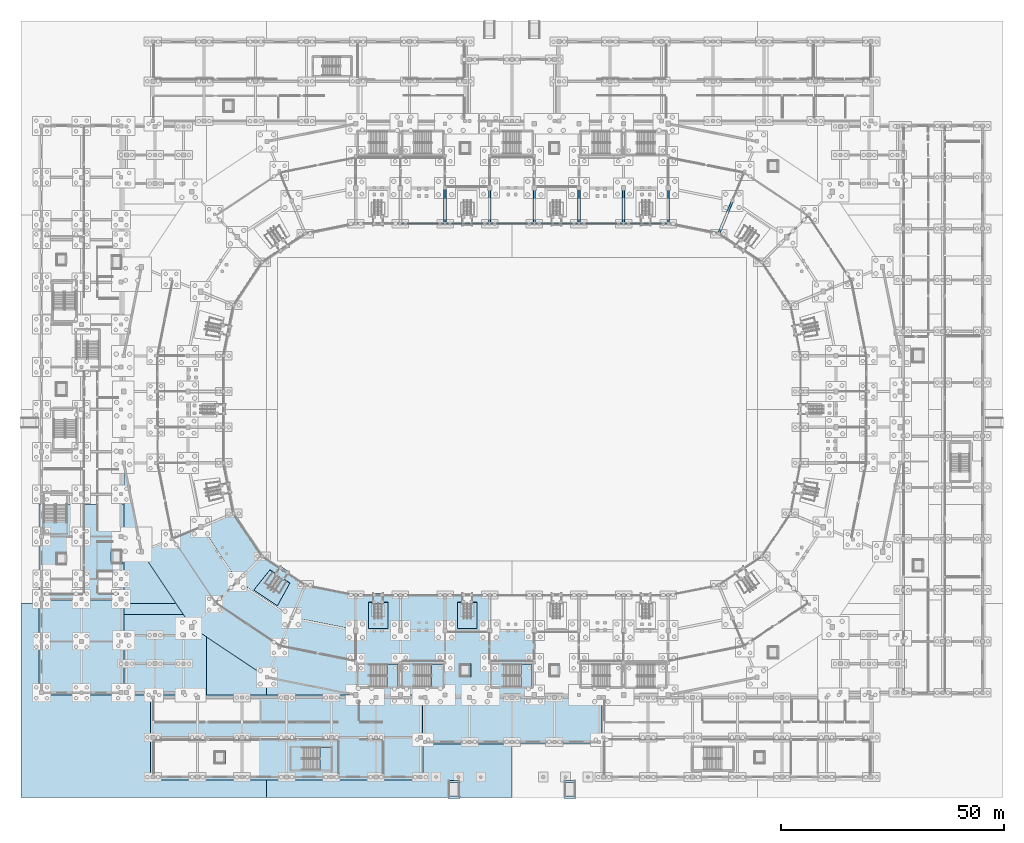
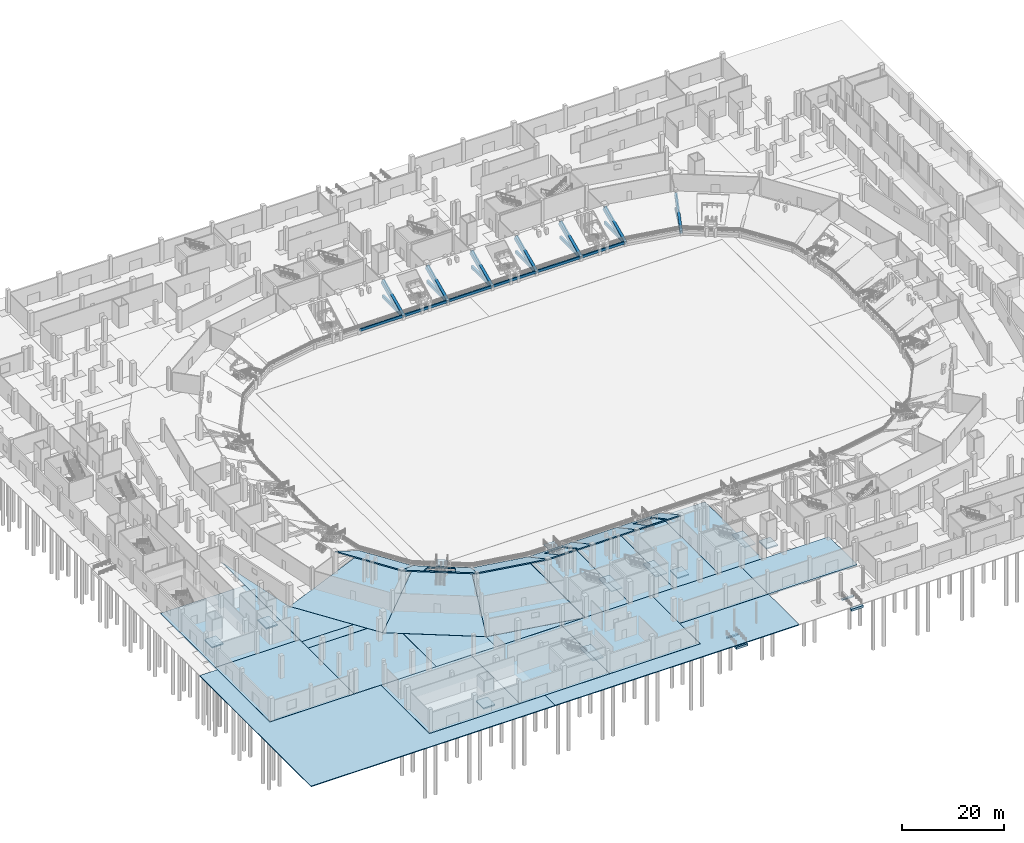
# One storey, part 19 of 68: 42 slabs, 20 beams, 6 elements without a shape of their own.
"""IFC4 building model written with IfcOpenShell, lengths in metres."""

from ifc_helpers import new_model, si_unit, direction, frame, origin, origin_2d, place, context, subcontext, project, spatial, polyline, rectangle, outline, extrude, material, layer, layer_set, material_profile, profile_set, type_object, element, aggregate, save


model = new_model("IFC4")

# Units and contexts
model_context = context("Model", 3, precision=1e-05, world=origin(), true_north=direction((0.0, 1.0)))
body_context = subcontext(model_context, "Body", "Model", "MODEL_VIEW")
ifc_project = project(units=[si_unit("LENGTHUNIT", "METRE"), si_unit("AREAUNIT", "SQUARE_METRE"), si_unit("VOLUMEUNIT", "CUBIC_METRE"), si_unit("PLANEANGLEUNIT", "RADIAN"), si_unit("MASSUNIT", "GRAM", prefix="KILO")], contexts=[model_context])

# Site, building, storey
site_placement = place(None, origin())
site = spatial("IfcSite", under=ifc_project, at=site_placement, CompositionType="ELEMENT")
building_placement = place(site_placement, origin())
building = spatial("IfcBuilding", under=site, at=building_placement, Name="Candeia Ridge Stadium", CompositionType="ELEMENT")
storey_placement = place(building_placement, origin())
storey = spatial("IfcBuildingStorey", under=building, at=storey_placement, Name="L00", CompositionType="ELEMENT", Elevation=0.0)

# Beams
ifc_material_1 = material(Name="Concrete C40/50", Category="concrete")
ifc_material_profile_1 = material_profile(ifc_material_1, rectangle(XDim=0.449951171875, YDim=0.699951171875, at=origin_2d()), Name="RC450x700", Category="concrete")
ifc_profile_set_1 = profile_set([ifc_material_profile_1], Name="Concrete C40/50")
beam_type_1 = type_object("IfcBeamType", Name="Frame Girder RC450x700", PredefinedType="BEAM", material=ifc_profile_set_1)
for number, where, z_axis, x_axis, name in (
    (1, (141.0, 124.760009765625, 0.800048828125), (0.0, 1.0, 0.0), (-1.0, 0.0, 0.0), "Lower stand plinth girder BM-L00-0961"),
    (2, (131.0, 124.760009765625, 0.800048828125), (0.0, 1.0, 0.0), (-1.0, 0.0, 0.0), "Lower stand plinth girder BM-L00-0963"),
    (3, (121.0, 124.760009765625, 0.800048828125), (0.0, 1.0, 0.0), (-1.0, 0.0, 0.0), "Lower stand plinth girder BM-L00-0965"),
    (4, (111.0, 124.760009765625, 0.800048828125), (0.0, 1.0, 0.0), (-1.0, 0.0, 0.0), "Lower stand plinth girder BM-L00-0967"),
    (5, (101.0, 124.760009765625, 0.800048828125), (0.0, 1.0, 0.0), (-1.0, 0.0, 0.0), "Lower stand plinth girder BM-L00-0969"),
    (6, (91.0, 124.760009765625, 0.800048828125), (0.0, 1.0, 0.0), (-1.0, 0.0, 0.0), "Lower stand plinth girder BM-L00-0971"),
    (7, (152.388671875, 122.49462890625, 0.800048828125), (0.38267559717, 0.923882777916, 0.0), (-0.923882777916, 0.38267559717, 0.0), "Lower stand plinth girder BM-L00-1031"),
):
    element("IfcBeam", number, at=place(storey_placement, frame(where, z_axis=z_axis, x_axis=x_axis)), inside=storey, type_object=beam_type_1, Name=name, PredefinedType="BEAM", context=body_context, shape_type="SweptSolid", body=[
        extrude(rectangle(XDim=0.449951171875, YDim=0.699951171875, at=origin_2d()), origin(), (0.0, 0.0, 1.0), 7.679931640625),
    ])
ifc_material_2 = material(Name="Concrete C45/55", Category="concrete")
ifc_material_profile_2 = material_profile(ifc_material_2, rectangle(XDim=0.60009765625, YDim=1.10009765625, at=origin_2d()), Name="RC600x1100", Category="concrete")
ifc_profile_set_2 = profile_set([ifc_material_profile_2], Name="Concrete C45/55")
beam_type_2 = type_object("IfcBeamType", Name="Lower Stand Raker Beam RC600x1100", PredefinedType="USERDEFINED", material=ifc_profile_set_2)
for number, where, z_axis, x_axis, name in (
    (8, (141.0, 124.60009765625, 0.6201171875), (0.0, 0.910194219783, 0.414181702002), (-1.0, 0.0, 0.0), "Stand T1 inclined concrete raker beam 01"),
    (9, (131.0, 124.60009765625, 0.6201171875), (0.0, 0.910194219783, 0.414181702002), (-1.0, 0.0, 0.0), "Stand T1 inclined concrete raker beam 02"),
    (10, (121.0, 124.60009765625, 0.6201171875), (0.0, 0.910194219783, 0.414181702002), (-1.0, 0.0, 0.0), "Stand T1 inclined concrete raker beam 03"),
    (11, (111.0, 124.60009765625, 0.6201171875), (0.0, 0.910194219783, 0.414181702002), (-1.0, 0.0, 0.0), "Stand T1 inclined concrete raker beam 04"),
    (12, (101.0, 124.60009765625, 0.6201171875), (0.0, 0.910194219783, 0.414181702002), (-1.0, 0.0, 0.0), "Stand T1 inclined concrete raker beam 05"),
    (13, (91.0, 124.60009765625, 0.6201171875), (0.0, 0.910194219783, 0.414181702002), (-1.0, 0.0, 0.0), "Stand T1 inclined concrete raker beam 06"),
):
    element("IfcBeam", number, at=place(storey_placement, frame(where, z_axis=z_axis, x_axis=x_axis)), inside=storey, type_object=beam_type_2, Name=name, ObjectType="RAKER", PredefinedType="USERDEFINED", context=body_context, shape_type="SweptSolid", body=[
        extrude(rectangle(XDim=0.60009765625, YDim=1.10009765625, at=origin_2d()), origin(), (0.0, 0.0, 1.0), 8.789306640625),
    ])
ifc_material_profile_3 = material_profile(ifc_material_1, rectangle(XDim=0.300048828125, YDim=0.60009765625, at=origin_2d()), Name="RC300x600", Category="concrete")
ifc_profile_set_3 = profile_set([ifc_material_profile_3], Name="Concrete C40/50")
beam_type_3 = type_object("IfcBeamType", Name="Spandrel Beam RC300x600", PredefinedType="SPANDREL", material=ifc_profile_set_3)
for number, where, z_axis, x_axis, name in (
    (14, (140.840087890625, 124.60009765625, 0.85009765625), (-1.0, 0.0, 0.0), (0.0, -1.0, 0.0), "Pitch-side moat ring beam BM-L00-0962"),
    (15, (130.840087890625, 124.60009765625, 0.85009765625), (-1.0, 0.0, 0.0), (0.0, -1.0, 0.0), "Pitch-side moat ring beam BM-L00-0964"),
    (16, (120.840087890625, 124.60009765625, 0.85009765625), (-1.0, 0.0, 0.0), (0.0, -1.0, 0.0), "Pitch-side moat ring beam BM-L00-0966"),
    (17, (110.840087890625, 124.60009765625, 0.85009765625), (-1.0, 0.0, 0.0), (0.0, -1.0, 0.0), "Pitch-side moat ring beam BM-L00-0968"),
    (18, (100.840087890625, 124.60009765625, 0.85009765625), (-1.0, 0.0, 0.0), (0.0, -1.0, 0.0), "Pitch-side moat ring beam BM-L00-0970"),
    (19, (90.840087890625, 124.60009765625, 0.85009765625), (-1.0, 0.0, 0.0), (0.0, -1.0, 0.0), "Pitch-side moat ring beam BM-L00-0972"),
):
    element("IfcBeam", number, at=place(storey_placement, frame(where, z_axis=z_axis, x_axis=x_axis)), inside=storey, type_object=beam_type_3, Name=name, PredefinedType="SPANDREL", context=body_context, shape_type="SweptSolid", body=[
        extrude(rectangle(XDim=0.300048828125, YDim=0.60009765625, at=origin_2d()), origin(), (0.0, 0.0, 1.0), 9.68017578125),
    ])
ifc_material_profile_4 = material_profile(ifc_material_2, rectangle(XDim=0.550048828125, YDim=1.0, at=origin_2d()), Name="RC550x1000", Category="concrete")
ifc_profile_set_4 = profile_set([ifc_material_profile_4], Name="Concrete C45/55")
beam_type_4 = type_object("IfcBeamType", Name="Stand Raker Beam RC550x1000", PredefinedType="USERDEFINED", material=ifc_profile_set_4)
beam_placement = place(storey_placement, frame((152.327392578125, 122.346923828125, 0.6201171875), z_axis=(0.348327413699, 0.84090237599, 0.414187405555), x_axis=(-0.923873999136, 0.382696790842, 0.0)))
element("IfcBeam", 20, at=beam_placement, inside=storey, type_object=beam_type_4, Name="Stand T1 inclined concrete raker beam 36", ObjectType="RAKER", PredefinedType="USERDEFINED", context=body_context, shape_type="SweptSolid", body=[
    extrude(rectangle(XDim=0.550048828125, YDim=1.0, at=origin_2d()), origin(), (0.0, 0.0, 1.0), 8.789306640625),
])

# Stair, slab
stair_type_1 = type_object("IfcStairType", Name="Enclosed Core Half-Turn Stair 2450", PredefinedType="HALF_TURN_STAIR", material=ifc_material_1)
stair_1_placement = place(storey_placement, origin())
stair_1 = element("IfcStair", 21, at=stair_1_placement, inside=storey, type_object=stair_type_1, Name="L00 Enclosed exit stair ST02", PredefinedType="HALF_TURN_STAIR")
ifc_layer_1 = layer(ifc_material_1, 0.199951171875, Name="Concrete C40/50", Category="concrete")
ifc_layer_set_1 = layer_set([ifc_layer_1], Name="Concrete C40/50")
slab_type_1 = type_object("IfcSlabType", Name="Core Stair Landing Slab 200", PredefinedType="LANDING", material=ifc_layer_set_1)
slab_1_placement = place(storey_placement, frame((0.0, 0.0, 2.5)))
slab_1 = element("IfcSlab", 22, at=slab_1_placement, type_object=slab_type_1, Name="ST02 landing 1", PredefinedType="LANDING", context=body_context, shape_type="SweptSolid", body=[
    extrude(outline(polyline([(78.010009765625, 20.800048828125), (80.5, 20.800048828125), (80.5, 25.85009765625), (78.010009765625, 25.85009765625), (78.010009765625, 20.800048828125)])), origin(), (0.0, 0.0, 1.0), 0.199951171875),
])
aggregate(stair_1, [slab_1])

stair_2_placement = place(storey_placement, origin())
stair_2 = element("IfcStair", 23, at=stair_2_placement, inside=storey, type_object=stair_type_1, Name="L00 Enclosed exit stair ST11", PredefinedType="HALF_TURN_STAIR")
slab_2_placement = place(storey_placement, frame((0.0, 0.0, 2.5)))
slab_2 = element("IfcSlab", 24, at=slab_2_placement, type_object=slab_type_1, Name="ST11 landing 1", PredefinedType="LANDING", context=body_context, shape_type="SweptSolid", body=[
    extrude(outline(polyline([(88.010009765625, 20.800048828125), (90.5, 20.800048828125), (90.5, 25.85009765625), (88.010009765625, 25.85009765625), (88.010009765625, 20.800048828125)])), origin(), (0.0, 0.0, 1.0), 0.199951171875),
])
aggregate(stair_2, [slab_2])

stair_3_placement = place(storey_placement, origin())
stair_3 = element("IfcStair", 25, at=stair_3_placement, inside=storey, type_object=stair_type_1, Name="L00 Enclosed exit stair ST13", PredefinedType="HALF_TURN_STAIR")
slab_3_placement = place(storey_placement, frame((0.0, 0.0, 2.5)))
slab_3 = element("IfcSlab", 26, at=slab_3_placement, type_object=slab_type_1, Name="ST13 landing 1", PredefinedType="LANDING", context=body_context, shape_type="SweptSolid", body=[
    extrude(outline(polyline([(63.010009765625, 2.199951171875), (65.5, 2.199951171875), (65.5, 7.25), (63.010009765625, 7.25), (63.010009765625, 2.199951171875)])), origin(), (0.0, 0.0, 1.0), 0.199951171875),
])
aggregate(stair_3, [slab_3])

stair_4_placement = place(storey_placement, origin())
stair_4 = element("IfcStair", 27, at=stair_4_placement, inside=storey, type_object=stair_type_1, Name="L00 Enclosed exit stair ST18", PredefinedType="HALF_TURN_STAIR")
slab_4_placement = place(storey_placement, frame((0.0, 0.0, 2.5)))
slab_4 = element("IfcSlab", 28, at=slab_4_placement, type_object=slab_type_1, Name="ST18 landing 1", PredefinedType="LANDING", context=body_context, shape_type="SweptSolid", body=[
    extrude(outline(polyline([(108.010009765625, 20.800048828125), (110.5, 20.800048828125), (110.5, 25.85009765625), (108.010009765625, 25.85009765625), (108.010009765625, 20.800048828125)])), origin(), (0.0, 0.0, 1.0), 0.199951171875),
])
aggregate(stair_4, [slab_4])

ifc_material_3 = material(Name="Precast concrete C45/55", Category="concrete")
stair_type_2 = type_object("IfcStairType", Name="Spectator Vomitory Straight Stair 2200", PredefinedType="STRAIGHT_RUN_STAIR", material=ifc_material_3)
stair_5_placement = place(storey_placement, origin())
stair_5 = element("IfcStair", 29, at=stair_5_placement, inside=storey, type_object=stair_type_2, Name="Vomitory stair VS09", PredefinedType="STRAIGHT_RUN_STAIR")
slab_5_placement = place(storey_placement, frame((0.0, 0.0, 2.0400390625)))
slab_5 = element("IfcSlab", 30, at=slab_5_placement, type_object=slab_type_1, Name="VS09 landing 1", PredefinedType="LANDING", context=body_context, shape_type="SweptSolid", body=[
    extrude(outline(polyline([(52.91943359375, 45.95654296875), (54.169921875, 47.827880859375), (56.0322265625, 46.583251953125), (54.781982421875, 44.712158203125), (52.91943359375, 45.95654296875)])), origin(), (0.0, 0.0, 1.0), 0.199951171875),
])
aggregate(stair_5, [slab_5])

stair_6_placement = place(storey_placement, origin())
stair_6 = element("IfcStair", 31, at=stair_6_placement, inside=storey, type_object=stair_type_2, Name="Vomitory stair VS10", PredefinedType="STRAIGHT_RUN_STAIR")
slab_6_placement = place(storey_placement, frame((0.0, 0.0, 2.0400390625)))
slab_6 = element("IfcSlab", 32, at=slab_6_placement, type_object=slab_type_1, Name="VS10 landing 1", PredefinedType="LANDING", context=body_context, shape_type="SweptSolid", body=[
    extrude(outline(polyline([(74.8798828125, 39.527587890625), (74.8798828125, 41.778076171875), (77.1201171875, 41.778076171875), (77.1201171875, 39.527587890625), (74.8798828125, 39.527587890625)])), origin(), (0.0, 0.0, 1.0), 0.199951171875),
])
aggregate(stair_6, [slab_6])

# Slabs
ifc_material_4 = material(Name="Concrete C35/45", Category="concrete")
ifc_layer_2 = layer(ifc_material_4, 0.18994140625, Name="Concrete C35/45", Category="concrete")
ifc_layer_set_2 = layer_set([ifc_layer_2], Name="Concrete C35/45")
slab_type_2 = type_object("IfcSlabType", Name="Exterior Boulevard Plaza Apron 190", PredefinedType="BASESLAB", material=ifc_layer_set_2)
slab_7_placement = place(storey_placement, frame((0.0, 0.0, -0.18994140625)))
element("IfcSlab", 33, at=slab_7_placement, inside=storey, type_object=slab_type_2, Name="Perimeter boulevard plaza apron SLB-L00-0319", PredefinedType="BASESLAB", context=body_context, shape_type="SweptSolid", body=[
    extrude(outline(polyline([(-4.0, 39.5), (-0.02001953125, 39.5), (-0.02001953125, 19.0), (-0.02001953125, 18.998046875), (-0.01953125, 18.99609375), (-0.01904296875, 18.994140625), (-0.0185546875, 18.9921875), (-0.017578125, 18.990478515625), (-0.0166015625, 18.989013671875), (-0.015380859375, 18.9873046875), (-0.01416015625, 18.98583984375), (-0.0126953125, 18.984619140625), (-0.010986328125, 18.9833984375), (-0.009521484375, 18.982421875), (-0.0078125, 18.9814453125), (-0.005859375, 18.98095703125), (-0.00390625, 18.98046875), (-0.001953125, 18.97998046875), (0.0, 18.97998046875), (24.97998046875, 18.97998046875), (24.97998046875, 0.0), (24.97998046875, -0.001953125), (24.98046875, -0.00390625), (24.98095703125, -0.005859375), (24.9814453125, -0.0078125), (24.982421875, -0.009521484375), (24.9833984375, -0.010986328125), (24.984619140625, -0.0126953125), (24.98583984375, -0.01416015625), (24.9873046875, -0.015380859375), (24.989013671875, -0.0166015625), (24.990478515625, -0.017578125), (24.9921875, -0.0185546875), (24.994140625, -0.01904296875), (24.99609375, -0.01953125), (24.998046875, -0.02001953125), (25.0, -0.02001953125), (51.0, -0.02001953125), (51.0, -4.0), (-4.0, -4.0), (-4.0, 39.5)])), origin(), (0.0, 0.0, 1.0), 0.18994140625),
])
slab_8_placement = place(storey_placement, frame((0.0, 0.0, -0.18994140625)))
element("IfcSlab", 34, at=slab_8_placement, inside=storey, type_object=slab_type_2, Name="Perimeter boulevard plaza apron SLB-L00-0320", PredefinedType="BASESLAB", context=body_context, shape_type="SweptSolid", body=[
    extrude(outline(polyline([(37.52001953125, 19.02001953125), (37.52001953125, 32.00830078125), (51.0, 23.001220703125), (51.0, 19.02001953125), (37.52001953125, 19.02001953125)])), origin(), (0.0, 0.0, 1.0), 0.18994140625),
])
slab_9_placement = place(storey_placement, frame((0.0, 0.0, -0.18994140625)))
element("IfcSlab", 35, at=slab_9_placement, inside=storey, type_object=slab_type_2, Name="Perimeter boulevard plaza apron SLB-L00-0321", PredefinedType="BASESLAB", context=body_context, shape_type="SweptSolid", body=[
    extrude(outline(polyline([(32.342529296875, 37.02001953125), (19.02001953125, 37.02001953125), (19.02001953125, 39.5), (30.685302734375, 39.5), (32.342529296875, 37.02001953125)])), origin(), (0.0, 0.0, 1.0), 0.18994140625),
])
slab_10_placement = place(storey_placement, frame((0.0, 0.0, -0.18994140625)))
element("IfcSlab", 36, at=slab_10_placement, inside=storey, type_object=slab_type_2, Name="Perimeter boulevard plaza apron SLB-L00-0324", PredefinedType="BASESLAB", context=body_context, shape_type="SweptSolid", body=[
    extrude(outline(polyline([(22.939208984375, 51.0947265625), (22.939697265625, 51.0927734375), (22.940673828125, 51.091064453125), (22.941650390625, 51.08935546875), (30.685302734375, 39.5), (19.02001953125, 39.5), (19.02001953125, 70.796875), (22.938720703125, 51.0966796875), (22.939208984375, 51.0947265625)])), origin(), (0.0, 0.0, 1.0), 0.18994140625),
])
slab_11_placement = place(storey_placement, frame((0.0, 0.0, -0.18994140625)))
element("IfcSlab", 37, at=slab_11_placement, inside=storey, type_object=slab_type_2, Name="Perimeter boulevard plaza apron SLB-L00-0331", PredefinedType="BASESLAB", context=body_context, shape_type="SweptSolid", body=[
    extrude(outline(polyline([(51.0, -4.0), (51.0, -0.02001953125), (86.0, -0.02001953125), (86.001953125, -0.02001953125), (86.00390625, -0.01953125), (86.005859375, -0.01904296875), (86.0078125, -0.0185546875), (86.009521484375, -0.017578125), (86.010986328125, -0.0166015625), (86.0126953125, -0.015380859375), (86.01416015625, -0.01416015625), (86.015380859375, -0.0126953125), (86.0166015625, -0.010986328125), (86.017578125, -0.009521484375), (86.0185546875, -0.0078125), (86.01904296875, -0.005859375), (86.01953125, -0.00390625), (86.02001953125, -0.001953125), (86.02001953125, 0.0), (86.02001953125, 7.97998046875), (106.0, 7.97998046875), (106.0, -4.0), (51.0, -4.0)])), origin(), (0.0, 0.0, 1.0), 0.18994140625),
])
slab_12_placement = place(storey_placement, frame((0.0, 0.0, -0.18994140625)))
element("IfcSlab", 38, at=slab_12_placement, inside=storey, type_object=slab_type_2, Name="Perimeter boulevard plaza apron SLB-L00-0332", PredefinedType="BASESLAB", context=body_context, shape_type="SweptSolid", body=[
    extrude(outline(polyline([(51.091064453125, 22.940673828125), (51.0927734375, 22.939697265625), (51.0947265625, 22.939208984375), (51.0966796875, 22.938720703125), (70.796875, 19.02001953125), (51.0, 19.02001953125), (51.0, 23.001220703125), (51.08935546875, 22.941650390625), (51.091064453125, 22.940673828125)])), origin(), (0.0, 0.0, 1.0), 0.18994140625),
])
ifc_layer_3 = layer(ifc_material_1, 0.300048828125, Name="Concrete C40/50", Category="concrete")
ifc_layer_set_3 = layer_set([ifc_layer_3], Name="Concrete C40/50")
slab_type_3 = type_object("IfcSlabType", Name="Ground Base Slab 300", PredefinedType="BASESLAB", material=ifc_layer_set_3)
slab_13_placement = place(storey_placement, frame((0.0, 0.0, -1.39990234375)))
element("IfcSlab", 39, at=slab_13_placement, inside=storey, type_object=slab_type_3, Name="Lift FF1 pit base slab", PredefinedType="BASESLAB", context=body_context, shape_type="SweptSolid", body=[
    extrude(outline(polyline([(16.10009765625, 48.300048828125), (18.699951171875, 48.300048828125), (18.699951171875, 51.699951171875), (16.10009765625, 51.699951171875), (16.10009765625, 48.300048828125)])), origin(), (0.0, 0.0, 1.0), 0.2998046875),
])
slab_14_placement = place(storey_placement, frame((0.0, 0.0, -1.39990234375)))
element("IfcSlab", 40, at=slab_14_placement, inside=storey, type_object=slab_type_3, Name="Lift VL1 pit base slab", PredefinedType="BASESLAB", context=body_context, shape_type="SweptSolid", body=[
    extrude(outline(polyline([(3.699951171875, 48.0), (6.300048828125, 48.0), (6.300048828125, 51.0), (3.699951171875, 51.0), (3.699951171875, 48.0)])), origin(), (0.0, 0.0, 1.0), 0.2998046875),
])
slab_15_placement = place(storey_placement, frame((0.0, 0.0, -1.39990234375)))
element("IfcSlab", 41, at=slab_15_placement, inside=storey, type_object=slab_type_3, Name="Lift PL3 pit base slab", PredefinedType="BASESLAB", context=body_context, shape_type="SweptSolid", body=[
    extrude(outline(polyline([(94.199951171875, 23.0), (96.800048828125, 23.0), (96.800048828125, 26.0), (94.199951171875, 26.0), (94.199951171875, 23.0)])), origin(), (0.0, 0.0, 1.0), 0.2998046875),
])
slab_16_placement = place(storey_placement, frame((0.0, 0.0, -1.39990234375)))
element("IfcSlab", 42, at=slab_16_placement, inside=storey, type_object=slab_type_3, Name="Lift PL4 pit base slab", PredefinedType="BASESLAB", context=body_context, shape_type="SweptSolid", body=[
    extrude(outline(polyline([(114.199951171875, 23.0), (116.800048828125, 23.0), (116.800048828125, 26.0), (114.199951171875, 26.0), (114.199951171875, 23.0)])), origin(), (0.0, 0.0, 1.0), 0.2998046875),
])
slab_17_placement = place(storey_placement, frame((0.0, 0.0, -1.39990234375)))
element("IfcSlab", 43, at=slab_17_placement, inside=storey, type_object=slab_type_3, Name="Lift PL5 pit base slab", PredefinedType="BASESLAB", context=body_context, shape_type="SweptSolid", body=[
    extrude(outline(polyline([(39.199951171875, 3.5), (41.800048828125, 3.5), (41.800048828125, 6.5), (39.199951171875, 6.5), (39.199951171875, 3.5)])), origin(), (0.0, 0.0, 1.0), 0.2998046875),
])
slab_18_placement = place(storey_placement, frame((0.0, 0.0, -0.300048828125)))
element("IfcSlab", 44, at=slab_18_placement, inside=storey, type_object=slab_type_3, Name="Bowl concourse sector slab L00 bay 16 SLB-L00-0016", PredefinedType="BASESLAB", context=body_context, shape_type="SweptSolid", body=[
    extrude(outline(polyline([(43.6533203125, 59.672607421875), (50.069580078125, 50.069580078125), (34.23046875, 34.23046875), (22.958251953125, 51.1005859375), (43.6533203125, 59.672607421875)])), origin(), (0.0, 0.0, 1.0), 0.300048828125),
])
slab_19_placement = place(storey_placement, frame((0.0, 0.0, -0.300048828125)))
element("IfcSlab", 45, at=slab_19_placement, inside=storey, type_object=slab_type_3, Name="Bowl concourse sector slab L00 bay 17 SLB-L00-0017", PredefinedType="BASESLAB", context=body_context, shape_type="SweptSolid", body=[
    extrude(outline(polyline([(50.069580078125, 50.069580078125), (59.672607421875, 43.6533203125), (51.1005859375, 22.958251953125), (34.23046875, 34.23046875), (50.069580078125, 50.069580078125)])), origin(), (0.0, 0.0, 1.0), 0.300048828125),
])
slab_20_placement = place(storey_placement, frame((0.0, 0.0, -0.300048828125)))
element("IfcSlab", 46, at=slab_20_placement, inside=storey, type_object=slab_type_3, Name="Bowl concourse sector slab L00 bay 18 SLB-L00-0018", PredefinedType="BASESLAB", context=body_context, shape_type="SweptSolid", body=[
    extrude(outline(polyline([(59.672607421875, 43.6533203125), (70.960693359375, 41.40771484375), (70.960693359375, 19.0078125), (51.1005859375, 22.958251953125), (59.672607421875, 43.6533203125)])), origin(), (0.0, 0.0, 1.0), 0.300048828125),
])
slab_21_placement = place(storey_placement, frame((0.0, 0.0, -0.300048828125)))
element("IfcSlab", 47, at=slab_21_placement, inside=storey, type_object=slab_type_3, Name="Bowl concourse sector slab L00 bay 19 SLB-L00-0019", PredefinedType="BASESLAB", context=body_context, shape_type="SweptSolid", body=[
    extrude(outline(polyline([(71.0400390625, 41.39990234375), (81.0, 41.39990234375), (81.0, 19.0), (71.0400390625, 19.0), (71.0400390625, 41.39990234375)])), origin(), (0.0, 0.0, 1.0), 0.300048828125),
])
slab_22_placement = place(storey_placement, frame((0.0, 0.0, -0.300048828125)))
element("IfcSlab", 48, at=slab_22_placement, inside=storey, type_object=slab_type_3, Name="Bowl concourse sector slab L00 bay 20 SLB-L00-0020", PredefinedType="BASESLAB", context=body_context, shape_type="SweptSolid", body=[
    extrude(outline(polyline([(81.0, 41.39990234375), (91.0, 41.39990234375), (91.0, 19.0), (81.0, 19.0), (81.0, 41.39990234375)])), origin(), (0.0, 0.0, 1.0), 0.300048828125),
])
slab_23_placement = place(storey_placement, frame((0.0, 0.0, -0.300048828125)))
element("IfcSlab", 49, at=slab_23_placement, inside=storey, type_object=slab_type_3, Name="Bowl concourse sector slab L00 bay 21 SLB-L00-0021", PredefinedType="BASESLAB", context=body_context, shape_type="SweptSolid", body=[
    extrude(outline(polyline([(91.0, 41.39990234375), (101.0, 41.39990234375), (101.0, 19.0), (91.0, 19.0), (91.0, 41.39990234375)])), origin(), (0.0, 0.0, 1.0), 0.300048828125),
])
slab_24_placement = place(storey_placement, frame((0.0, 0.0, -0.300048828125)))
element("IfcSlab", 50, at=slab_24_placement, inside=storey, type_object=slab_type_3, Name="Bowl concourse sector slab L00 bay 22 SLB-L00-0022", PredefinedType="BASESLAB", context=body_context, shape_type="SweptSolid", body=[
    extrude(outline(polyline([(101.0, 41.39990234375), (111.0, 41.39990234375), (111.0, 19.0), (101.0, 19.0), (101.0, 41.39990234375)])), origin(), (0.0, 0.0, 1.0), 0.300048828125),
])
slab_25_placement = place(storey_placement, frame((0.0, 0.0, -0.300048828125)))
element("IfcSlab", 51, at=slab_25_placement, inside=storey, type_object=slab_type_3, Name="Wing floor slab west SLB-L00-0181", PredefinedType="BASESLAB", context=body_context, shape_type="SweptSolid", body=[
    extrude(outline(polyline([(19.0, 19.0), (19.0, 40.333251953125), (0.0, 40.333251953125), (0.0, 19.0), (19.0, 19.0)])), origin(), (0.0, 0.0, 1.0), 0.300048828125),
])
slab_26_placement = place(storey_placement, frame((0.0, 0.0, -0.300048828125)))
element("IfcSlab", 52, at=slab_26_placement, inside=storey, type_object=slab_type_3, Name="Wing floor slab west SLB-L00-0182", PredefinedType="BASESLAB", context=body_context, shape_type="SweptSolid", body=[
    extrude(outline(polyline([(19.0, 40.333251953125), (19.0, 61.666748046875), (0.0, 61.666748046875), (0.0, 40.333251953125), (19.0, 40.333251953125)])), origin(), (0.0, 0.0, 1.0), 0.300048828125),
])
slab_27_placement = place(storey_placement, frame((0.0, 0.0, -0.300048828125)))
element("IfcSlab", 53, at=slab_27_placement, inside=storey, type_object=slab_type_3, Name="Wing floor slab sw_s SLB-L00-0193", PredefinedType="BASESLAB", context=body_context, shape_type="SweptSolid", body=[
    extrude(outline(polyline([(45.333251953125, 0.0), (45.333251953125, 19.0), (25.0, 19.0), (25.0, 0.0), (45.333251953125, 0.0)])), origin(), (0.0, 0.0, 1.0), 0.300048828125),
])
slab_28_placement = place(storey_placement, frame((0.0, 0.0, -0.300048828125)))
element("IfcSlab", 54, at=slab_28_placement, inside=storey, type_object=slab_type_3, Name="Wing floor slab sw_s SLB-L00-0194", PredefinedType="BASESLAB", context=body_context, shape_type="SweptSolid", body=[
    extrude(outline(polyline([(65.666748046875, 0.0), (65.666748046875, 19.0), (45.333251953125, 19.0), (45.333251953125, 0.0), (65.666748046875, 0.0)])), origin(), (0.0, 0.0, 1.0), 0.300048828125),
])
slab_29_placement = place(storey_placement, frame((0.0, 0.0, -0.300048828125)))
element("IfcSlab", 55, at=slab_29_placement, inside=storey, type_object=slab_type_3, Name="Wing floor slab sw_s SLB-L00-0195", PredefinedType="BASESLAB", context=body_context, shape_type="SweptSolid", body=[
    extrude(outline(polyline([(86.0, 0.0), (86.0, 19.0), (65.666748046875, 19.0), (65.666748046875, 0.0), (86.0, 0.0)])), origin(), (0.0, 0.0, 1.0), 0.300048828125),
])
slab_30_placement = place(storey_placement, frame((0.0, 0.0, -0.300048828125)))
element("IfcSlab", 56, at=slab_30_placement, inside=storey, type_object=slab_type_3, Name="Wing floor slab sgate SLB-L00-0199", PredefinedType="BASESLAB", context=body_context, shape_type="SweptSolid", body=[
    extrude(outline(polyline([(106.0, 8.0), (106.0, 19.0), (86.0, 19.0), (86.0, 8.0), (106.0, 8.0)])), origin(), (0.0, 0.0, 1.0), 0.300048828125),
])
slab_31_placement = place(storey_placement, frame((0.0, 0.0, -0.300048828125)))
element("IfcSlab", 57, at=slab_31_placement, inside=storey, type_object=slab_type_3, Name="Wing floor slab sgate SLB-L00-0200", PredefinedType="BASESLAB", context=body_context, shape_type="SweptSolid", body=[
    extrude(outline(polyline([(126.0, 8.0), (126.0, 19.0), (106.0, 19.0), (106.0, 8.0), (126.0, 8.0)])), origin(), (0.0, 0.0, 1.0), 0.300048828125),
])
slab_32_placement = place(storey_placement, frame((0.0, 0.0, -0.300048828125)))
element("IfcSlab", 58, at=slab_32_placement, inside=storey, type_object=slab_type_3, Name="Wing floor slab sp_sw SLB-L00-0209", PredefinedType="BASESLAB", context=body_context, shape_type="SweptSolid", body=[
    extrude(outline(polyline([(37.5, 19.0), (19.0, 19.0), (19.0, 37.0), (32.373779296875, 37.0), (34.226318359375, 34.227783203125), (34.2265625, 34.227294921875), (34.226806640625, 34.226806640625), (34.227294921875, 34.2265625), (34.227783203125, 34.226318359375), (37.5, 32.039794921875), (37.5, 19.0)])), origin(), (0.0, 0.0, 1.0), 0.300048828125),
])
slab_33_placement = place(storey_placement, frame((0.0, 0.0, -0.820068359375)))
element("IfcSlab", 59, at=slab_33_placement, inside=storey, type_object=slab_type_3, Name="Ramp bot threshold base slab RMP-S1", PredefinedType="BASESLAB", context=body_context, shape_type="SweptSolid", body=[
    extrude(outline(polyline([(94.320068359375, -4.25), (94.320068359375, -3.60009765625), (91.679931640625, -3.60009765625), (91.679931640625, -4.25), (94.320068359375, -4.25)])), origin(), (0.0, 0.0, 1.0), 0.51953125),
])
slab_34_placement = place(storey_placement, frame((0.0, 0.0, -0.52001953125)))
element("IfcSlab", 60, at=slab_34_placement, inside=storey, type_object=slab_type_3, Name="Ramp top threshold base slab RMP-S1", PredefinedType="BASESLAB", context=body_context, shape_type="SweptSolid", body=[
    extrude(outline(polyline([(94.320068359375, -0.6201171875), (94.320068359375, -0.159912109375), (91.679931640625, -0.159912109375), (91.679931640625, -0.6201171875), (94.320068359375, -0.6201171875)])), origin(), (0.0, 0.0, 1.0), 0.300537109375),
])
slab_35_placement = place(storey_placement, frame((0.0, 0.0, -0.820068359375)))
element("IfcSlab", 61, at=slab_35_placement, inside=storey, type_object=slab_type_3, Name="Ramp bot threshold base slab RMP-S2", PredefinedType="BASESLAB", context=body_context, shape_type="SweptSolid", body=[
    extrude(outline(polyline([(120.320068359375, -4.25), (120.320068359375, -3.60009765625), (117.679931640625, -3.60009765625), (117.679931640625, -4.25), (120.320068359375, -4.25)])), origin(), (0.0, 0.0, 1.0), 0.51953125),
])
slab_36_placement = place(storey_placement, frame((0.0, 0.0, -0.52001953125)))
element("IfcSlab", 62, at=slab_36_placement, inside=storey, type_object=slab_type_3, Name="Ramp top threshold base slab RMP-S2", PredefinedType="BASESLAB", context=body_context, shape_type="SweptSolid", body=[
    extrude(outline(polyline([(120.320068359375, -0.6201171875), (120.320068359375, -0.159912109375), (117.679931640625, -0.159912109375), (117.679931640625, -0.6201171875), (120.320068359375, -0.6201171875)])), origin(), (0.0, 0.0, 1.0), 0.300537109375),
])
ifc_layer_4 = layer(ifc_material_3, 0.219970703125, Name="Precast concrete C45/55", Category="concrete")
ifc_layer_set_4 = layer_set([ifc_layer_4], Name="Precast concrete C45/55")
slab_type_4 = type_object("IfcSlabType", Name="Lower Seating Tier Precast 220", PredefinedType="USERDEFINED", material=ifc_layer_set_4)
slab_37_placement = place(storey_placement, frame((43.653076171875, 59.673095703125, 0.85009765625), z_axis=(0.40007469897, 0.267354976349, 0.876619388256), x_axis=(0.555602317356, -0.83144817327, 1.0696589e-05)))
element("IfcSlab", 63, at=slab_37_placement, inside=storey, type_object=slab_type_4, Name="Stand Lower Tier Stands Bay 16", ObjectType="SEATING TIER", PredefinedType="USERDEFINED", context=body_context, shape_type="SweptSolid", body=[
    extrude(outline(polyline([(0.0, 0.0), (11.549715272654334, -8.881784197001252e-16), (13.071357187186356, -8.728070071520815), (-1.5216936557355443, -8.726621720218118), (0.0, 0.0)])), origin(), (0.0, 0.0, -1.0), 0.219970703125),
])
slab_38_placement = place(storey_placement, frame((50.070068359375, 50.070068359375, 0.85009765625), z_axis=(0.267402742921, 0.400146191415, 0.876572186745), x_axis=(0.83144817414, -0.555602316054, -1.0691249e-05)))
element("IfcSlab", 64, at=slab_38_placement, inside=storey, type_object=slab_type_4, Name="Stand Lower Tier Stands Bay 17", ObjectType="SEATING TIER", PredefinedType="USERDEFINED", context=body_context, shape_type="SweptSolid", body=[
    extrude(outline(polyline([(0.0, 0.0), (11.5497152726551, -8.881784197001252e-16), (13.07140892838901, -8.727091653223518), (-1.521641914530392, -8.728540035808216), (0.0, 0.0)]), holes=[polyline([(3.100038285967532, -1.7460043770237244), (8.449525902663396, -1.7457536991438287), (8.958495152623069, -8.378534536926399), (2.5912208923703006, -8.378323106913212), (3.100038285967532, -1.7460043770237244)])]), origin(), (0.0, 0.0, -1.0), 0.219970703125),
])
slab_39_placement = place(storey_placement, frame((59.673095703125, 43.653076171875, 0.85009765625), z_axis=(0.093892154148, 0.472009207859, 0.876579472202), x_axis=(0.980783509067, -0.195099226914, 8.61451e-07)))
element("IfcSlab", 65, at=slab_39_placement, inside=storey, type_object=slab_type_4, Name="Stand Lower Tier Stands Bay 18", ObjectType="SEATING TIER", PredefinedType="USERDEFINED", context=body_context, shape_type="SweptSolid", body=[
    extrude(outline(polyline([(0.0, 0.0), (11.54883341511964, 4.440892098500626e-16), (13.070572897783089, -8.727018503249294), (-1.5218448154837856, -8.72706529613274), (0.0, 0.0)])), origin(), (0.0, 0.0, -1.0), 0.219970703125),
])
slab_40_placement = place(storey_placement, frame((71.0, 41.39990234375, 0.85009765625), z_axis=(0.0, 0.474104753383, 0.880468445102), x_axis=(1.0, 0.0, 0.0)))
element("IfcSlab", 66, at=slab_40_placement, inside=storey, type_object=slab_type_4, Name="Stand Lower Tier Stands Bay 19", ObjectType="SEATING TIER", PredefinedType="USERDEFINED", context=body_context, shape_type="SweptSolid", body=[
    extrude(outline(polyline([(0.0, 0.0), (10.0, 0.0), (10.0, -8.858698719861804), (0.0, -8.858698719861804), (0.0, 0.0)]), holes=[polyline([(2.800048828125, -1.7715413201639891), (7.199951171875, -1.7715413201639891), (7.199951171875, -8.504347464205711), (2.800048828125, -8.504347464205711), (2.800048828125, -1.7715413201639891)])]), origin(), (0.0, 0.0, -1.0), 0.219970703125),
])
slab_41_placement = place(storey_placement, frame((81.0, 41.39990234375, 0.85009765625), z_axis=(0.0, 0.474104753383, 0.880468445102), x_axis=(1.0, 0.0, 0.0)))
element("IfcSlab", 67, at=slab_41_placement, inside=storey, type_object=slab_type_4, Name="Stand Lower Tier Stands Bay 20", ObjectType="SEATING TIER", PredefinedType="USERDEFINED", context=body_context, shape_type="SweptSolid", body=[
    extrude(outline(polyline([(0.0, 0.0), (10.0, 0.0), (10.0, -8.858698719861804), (0.0, -8.858698719861804), (0.0, 0.0)])), origin(), (0.0, 0.0, -1.0), 0.219970703125),
])
slab_42_placement = place(storey_placement, frame((91.0, 41.39990234375, 0.85009765625), z_axis=(0.0, 0.474104753383, 0.880468445102), x_axis=(1.0, 0.0, 0.0)))
element("IfcSlab", 68, at=slab_42_placement, inside=storey, type_object=slab_type_4, Name="Stand Lower Tier Stands Bay 21", ObjectType="SEATING TIER", PredefinedType="USERDEFINED", context=body_context, shape_type="SweptSolid", body=[
    extrude(outline(polyline([(0.0, 0.0), (10.0, 0.0), (10.0, -8.858698719861804), (0.0, -8.858698719861804), (0.0, 0.0)]), holes=[polyline([(2.800048828125, -1.7715413201639891), (7.199951171875, -1.7715413201639891), (7.199951171875, -8.504347464205711), (2.800048828125, -8.504347464205711), (2.800048828125, -1.7715413201639891)])]), origin(), (0.0, 0.0, -1.0), 0.219970703125),
])

save(model, "model.ifc")
